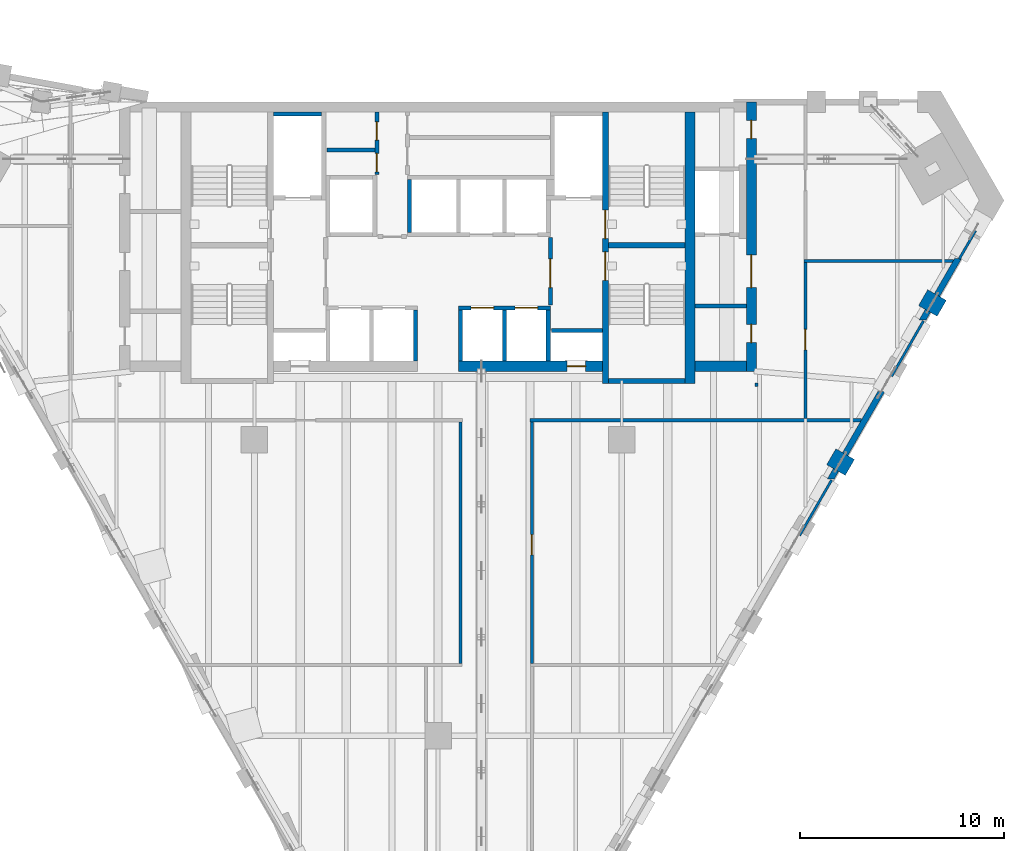
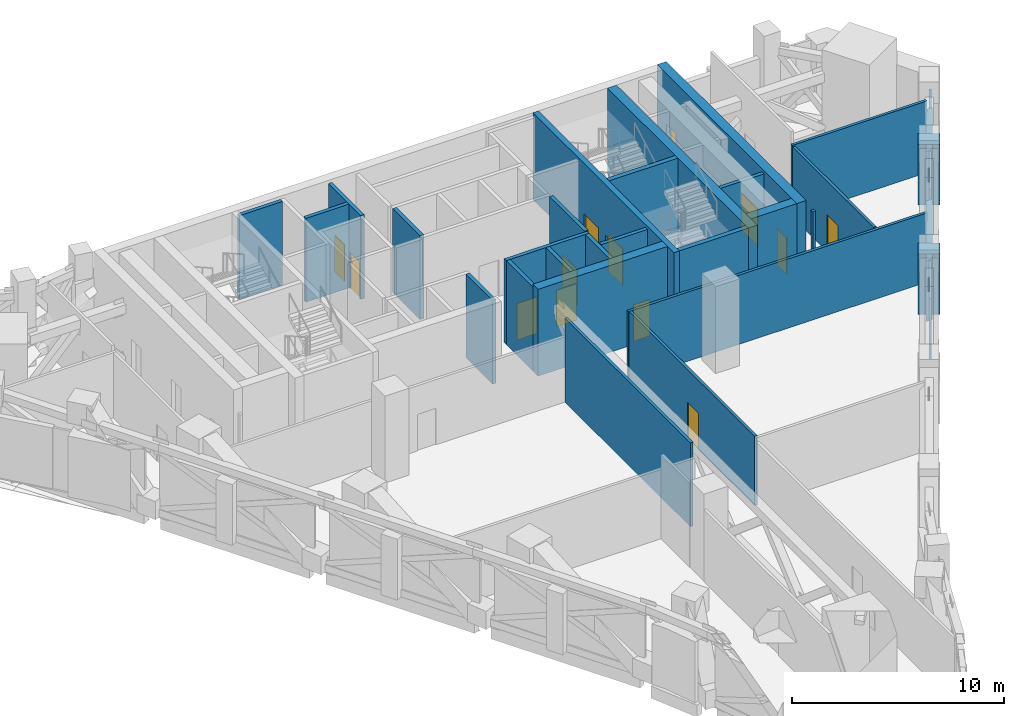
# One storey, part 11 of 22: 34 walls, 13 doors, 13 openings.
"""IFC4 building model written with IfcOpenShell, lengths in metres."""

import ifcopenshell
import ifcopenshell.guid

model = None  # the IFC model being written
_history = None  # IfcOwnerHistory: only IFC2X3 demands one
_inside = {}  # id of a spatial element -> (the spatial element, [elements in it])
_under = {}  # id of a project, library or spatial element -> (it, [spatial elements below it])
_declared = {}  # id of a project -> (the project, [libraries it declares])
_typed = {}  # id of a type object -> (the type object, [elements of that type])
_made_of = {}  # id of a material, layer set ... -> (it, [elements and type objects made of it])


def new_model(schema):
    """Start an empty IFC model of exactly this schema.

    Asked for "IFC4X3", IfcOpenShell would pick the latest addendum, in which some entities
    have other attributes; the version numbers below select the first issue.
    IFC2X3 requires an IfcOwnerHistory on every rooted entity: one is made here for all.
    """
    global model, _history
    if schema == "IFC4X3":
        model = ifcopenshell.file(schema_version=(4, 3, 0, 0))
    else:
        model = ifcopenshell.file(schema=schema)
    _inside.clear()
    _under.clear()
    _declared.clear()
    _typed.clear()
    _made_of.clear()
    _history = None
    if model.schema == "IFC2X3":
        org = make("IfcOrganization", Name="unknown")
        user = make(
            "IfcPersonAndOrganization",
            ThePerson=make("IfcPerson", FamilyName="unknown"),
            TheOrganization=org,
        )
        app = make(
            "IfcApplication",
            ApplicationDeveloper=org,
            Version="unknown",
            ApplicationFullName="unknown",
            ApplicationIdentifier="unknown",
        )
        _history = make(
            "IfcOwnerHistory",
            OwningUser=user,
            OwningApplication=app,
            ChangeAction="ADDED",
            CreationDate=0,
        )
    return model


def make(cls, **values):
    """One entity of the class cls with the attributes given. An attribute that is None is left unset."""
    return model.create_entity(
        cls, **{name: value for name, value in values.items() if value is not None}
    )


def rooted(cls, **values):
    """An entity with a GlobalId (a new one), such as an element, a storey or a relation."""
    return make(cls, GlobalId=ifcopenshell.guid.new(), OwnerHistory=_history, **values)


def si_unit(unit_type, name, prefix=None):
    """IfcSIUnit, for example si_unit("LENGTHUNIT", "METRE", prefix="MILLI")."""
    return make("IfcSIUnit", UnitType=unit_type, Prefix=prefix, Name=name)


def assignment(units):
    """IfcUnitAssignment: the units of a project."""
    return None if units is None else make("IfcUnitAssignment", Units=units)


def point(xyz):
    """IfcCartesianPoint."""
    return None if xyz is None else make("IfcCartesianPoint", Coordinates=xyz)


def direction(xyz):
    """IfcDirection."""
    return None if xyz is None else make("IfcDirection", DirectionRatios=xyz)


def frame(location, z_axis=None, x_axis=None):
    """IfcAxis2Placement3D, a coordinate frame: its origin and axes. An axis left out is left unset."""
    return make(
        "IfcAxis2Placement3D",
        Location=point(location),
        Axis=direction(z_axis),
        RefDirection=direction(x_axis),
    )


def frame_2d(location, x_axis=None):
    """IfcAxis2Placement2D, a coordinate frame in the plane: its origin and x axis."""
    return make(
        "IfcAxis2Placement2D", Location=point(location), RefDirection=direction(x_axis)
    )


def origin():
    """The frame at (0, 0, 0) with its axes left unset."""
    return frame((0.0, 0.0, 0.0))


def place(relative_to, where):
    """IfcLocalPlacement: puts the frame where relative to a parent placement (None: the world)."""
    return make(
        "IfcLocalPlacement", PlacementRelTo=relative_to, RelativePlacement=where
    )


def context(
    kind, dimensions, precision=None, world=None, true_north=None, identifier=None
):
    """IfcGeometricRepresentationContext, for example the 3D "Model" context."""
    return make(
        "IfcGeometricRepresentationContext",
        ContextIdentifier=identifier,
        ContextType=kind,
        CoordinateSpaceDimension=dimensions,
        Precision=precision,
        WorldCoordinateSystem=world,
        TrueNorth=true_north,
    )


def subcontext(parent, identifier, kind, view, scale=None):
    """IfcGeometricRepresentationSubContext, for example "Body" below "Model"."""
    return make(
        "IfcGeometricRepresentationSubContext",
        ContextIdentifier=identifier,
        ContextType=kind,
        ParentContext=parent,
        TargetScale=scale,
        TargetView=view,
    )


def project(units=None, contexts=None):
    """IfcProject with its units and contexts."""
    return rooted(
        "IfcProject",
        Name="project",
        RepresentationContexts=contexts,
        UnitsInContext=assignment(units),
    )


def spatial(cls, under=None, at=None, **own):
    """A site, building, storey or space (cls), placed at a placement, below another one or the project."""
    s = rooted(cls, ObjectPlacement=at, **own)
    if under is not None:
        _under.setdefault(under.id(), (under, []))[1].append(s)
    return s


def polyline(points):
    """IfcPolyline through the points."""
    return make("IfcPolyline", Points=[point(p) for p in points])


def profile(cls, at=None, kind="AREA", **sizes):
    """A parametric profile (cls). Its sizes go by their IFC names, for example OverallWidth=200.0."""
    return make(cls, ProfileType=kind, Position=at, **sizes)


def rectangle(**sizes):
    """IfcRectangleProfileDef."""
    return profile("IfcRectangleProfileDef", **sizes)


def outline(outer, holes=None, kind="AREA"):
    """IfcArbitraryClosedProfileDef: a profile drawn as a closed curve; with holes, ...WithVoids."""
    if holes is None:
        return make("IfcArbitraryClosedProfileDef", ProfileType=kind, OuterCurve=outer)
    return make(
        "IfcArbitraryProfileDefWithVoids",
        ProfileType=kind,
        OuterCurve=outer,
        InnerCurves=holes,
    )


def extrude(swept, where, along, depth):
    """IfcExtrudedAreaSolid: the profile swept, set in the frame where, extruded along a direction by depth."""
    return make(
        "IfcExtrudedAreaSolid",
        SweptArea=swept,
        Position=where,
        ExtrudedDirection=direction(along),
        Depth=depth,
    )


def shape(context_of_items, identifier, shape_type, items):
    """IfcShapeRepresentation: the items that make up one representation, for example the "Body"."""
    return make(
        "IfcShapeRepresentation",
        ContextOfItems=context_of_items,
        RepresentationIdentifier=identifier,
        RepresentationType=shape_type,
        Items=items,
    )


def material(Name=None, Category=None):
    """IfcMaterial."""
    return make("IfcMaterial", Name=Name, Category=Category)


def layer(
    of_material, thickness, ventilated=None, Name=None, Category=None, Priority=None
):
    """IfcMaterialLayer: one layer of a wall or slab, of a material (None: an air gap)."""
    return make(
        "IfcMaterialLayer",
        Material=of_material,
        LayerThickness=thickness,
        IsVentilated=ventilated,
        Name=Name,
        Category=Category,
        Priority=Priority,
    )


def layer_set(layers, Name=None):
    """IfcMaterialLayerSet."""
    return make("IfcMaterialLayerSet", MaterialLayers=layers, LayerSetName=Name)


def made_of(thing, what):
    """Note that an element or type object is made of a material, layer set ...; save() writes the relation."""
    if what is not None:
        _made_of.setdefault(what.id(), (what, []))[1].append(thing)
    return thing


def type_object(cls, material=None, **own):
    """A type object (cls), such as IfcWallType, which elements share."""
    return made_of(rooted(cls, **own), material)


def element(
    cls,
    number,
    at=None,
    inside=None,
    cuts=None,
    type_object=None,
    material=None,
    context=None,
    identifier="Body",
    shape_type=None,
    held_by="IfcProductDefinitionShape",
    body=None,
    shapes=None,
    **own,
):
    """One element of the class cls, such as IfcWall. Its Tag is "e" and its number.

    at: its placement. inside: the storey or other place that contains it. cuts: it is an
    opening in that element (IfcRelVoidsElement). A single representation is given by context,
    identifier, shape_type and body (its items); several are given by shapes. held_by: the class
    of the entity that holds the representations. save() writes the other relations.
    """
    e = rooted(cls, Tag="e%d" % number, ObjectPlacement=at, **own)
    if body is not None:
        shapes = [shape(context, identifier, shape_type, body)]
    if shapes is not None:
        e.Representation = make(held_by, Representations=shapes)
    if inside is not None:
        _inside.setdefault(inside.id(), (inside, []))[1].append(e)
    if cuts is not None:
        rooted(
            "IfcRelVoidsElement", RelatingBuildingElement=cuts, RelatedOpeningElement=e
        )
    if type_object is not None:
        _typed.setdefault(type_object.id(), (type_object, []))[1].append(e)
    return made_of(e, material)


def fill(opening, filler):
    """IfcRelFillsElement: the door or window that sits in an opening."""
    return rooted(
        "IfcRelFillsElement",
        RelatingOpeningElement=opening,
        RelatedBuildingElement=filler,
    )


def aggregate(whole, parts):
    """IfcRelAggregates: a whole, such as a stair, and the parts it consists of."""
    return rooted("IfcRelAggregates", RelatingObject=whole, RelatedObjects=parts)


def save(model, path):
    """Write the relations noted so far, then the file.

    IfcRelAggregates (storeys below a building ...), IfcRelContainedInSpatialStructure (elements
    in a storey), IfcRelDefinesByType, IfcRelAssociatesMaterial and IfcRelDeclares: one each for
    every whole, place, type object, material and project.
    """
    for whole, parts in _under.values():
        aggregate(whole, parts)
    for where, things in _inside.values():
        rooted(
            "IfcRelContainedInSpatialStructure",
            RelatedElements=things,
            RelatingStructure=where,
        )
    for kind, things in _typed.values():
        rooted("IfcRelDefinesByType", RelatedObjects=things, RelatingType=kind)
    for what, things in _made_of.values():
        rooted("IfcRelAssociatesMaterial", RelatedObjects=things, RelatingMaterial=what)
    for by, libraries in _declared.values():
        rooted("IfcRelDeclares", RelatingContext=by, RelatedDefinitions=libraries)
    model.write(path)


model = new_model("IFC4")

# Units and contexts
model_context = context("Model", 3, precision=1e-05, world=origin(), true_north=direction((0.0, 1.0)))
body_context = subcontext(model_context, "Body", "Model", "MODEL_VIEW")
ifc_project = project(units=[si_unit("LENGTHUNIT", "METRE"), si_unit("AREAUNIT", "SQUARE_METRE"), si_unit("VOLUMEUNIT", "CUBIC_METRE"), si_unit("PLANEANGLEUNIT", "RADIAN"), si_unit("MASSUNIT", "GRAM", prefix="KILO")], contexts=[model_context])

# Site, building, storey
site_placement = place(None, origin())
site = spatial("IfcSite", under=ifc_project, at=site_placement, CompositionType="ELEMENT")
building_placement = place(site_placement, origin())
building = spatial("IfcBuilding", under=site, at=building_placement, Name="Calabash Gate Tower", CompositionType="ELEMENT")
storey_placement = place(building_placement, frame((0.0, 0.0, 191.39990234375)))
storey = spatial("IfcBuildingStorey", under=building, at=storey_placement, Name="L45", CompositionType="ELEMENT", Elevation=191.39990234375)

# Walls
ifc_material_1 = material(Name="Terracotta brick masonry, exposed face", Category="masonry")
ifc_layer_1 = layer(ifc_material_1, 1.050048828125)
ifc_layer_set_1 = layer_set([ifc_layer_1], Name="Brick end wall 1050")
wall_type_1 = type_object("IfcWallType", Name="Brick end wall 1050", PredefinedType="SOLIDWALL", material=ifc_layer_set_1)
for number, where, z_axis, x_axis, name in (
    (1, (19.26708984375, 1.665771484375, 0.0), (0.0, 0.0, 1.0), (0.866030680601, -0.499990860175, 0.0), "Brick pier L45 SE4.5"),
    (2, (24.67626953125, 8.93505859375, 0.0), (0.0, 0.0, 1.0), (-0.866030680601, 0.499990860175, 0.0), "Brick pier L45 SE4.7"),
):
    element("IfcWall", number, at=place(storey_placement, frame(where, z_axis=z_axis, x_axis=x_axis)), inside=storey, type_object=wall_type_1, Name=name, PredefinedType="SOLIDWALL", context=body_context, shape_type="SweptSolid", body=[
        extrude(rectangle(XDim=1.0498046875, YDim=0.89990234375, at=frame_2d((0.52490234375, 0.0))), origin(), (0.0, 0.0, 1.0), 3.5),
    ])
ifc_material_2 = material(Name="Gypsum board on steel studs, mineral wool", Category="steel")
ifc_layer_2 = layer(ifc_material_2, 0.199951171875)
ifc_layer_set_2 = layer_set([ifc_layer_2], Name="Core partition 200 gypsum board")
wall_type_2 = type_object("IfcWallType", Name="Core partition 200 gypsum board", PredefinedType="PARTITIONING", material=ifc_layer_set_2)
wall_1_placement = place(storey_placement, frame((12.60009765625, 9.052490234375, 0.0), z_axis=(0.0, 0.0, 1.0), x_axis=(1.0, 0.0, 0.0)))
element("IfcWall", 3, at=wall_1_placement, inside=storey, type_object=wall_type_2, Name="Core partition", PredefinedType="PARTITIONING", context=body_context, shape_type="SweptSolid", body=[
    extrude(rectangle(XDim=2.5, YDim=0.199951171875, at=frame_2d((1.25, 0.0))), origin(), (0.0, 0.0, 1.0), 4.830078125),
])
ifc_material_3 = material(Name="Concrete C70/85", Category="concrete")
ifc_layer_3 = layer(ifc_material_3, 0.25)
ifc_layer_set_3 = layer_set([ifc_layer_3], Name="Core wall 250 Concrete C70/85")
wall_type_3 = type_object("IfcWallType", Name="Core wall 250 Concrete C70/85", PredefinedType="SHEAR", material=ifc_layer_set_3)
for number, where, z_axis, x_axis, name in (
    (4, (8.35009765625, 12.027587890625, 0.0), (0.0, 0.0, 1.0), (1.0, 0.0, 0.0), "Core wall Z3-MIDE L45"),
    (5, (8.35009765625, 5.377685546875, 0.0), (0.0, 0.0, 1.0), (1.0, 0.0, 0.0), "Core wall Z3-SSE L45"),
):
    element("IfcWall", number, at=place(storey_placement, frame(where, z_axis=z_axis, x_axis=x_axis)), inside=storey, type_object=wall_type_3, Name=name, PredefinedType="SHEAR", context=body_context, shape_type="SweptSolid", body=[
        extrude(rectangle(XDim=3.75, YDim=0.25, at=frame_2d((1.875, 0.0))), origin(), (0.0, 0.0, 1.0), 5.0),
    ])

# Wall, openings, doors
ifc_material_4 = material(Name="Concrete C70/85", Category="concrete")
ifc_layer_4 = layer(ifc_material_4, 0.300048828125)
ifc_layer_set_4 = layer_set([ifc_layer_4], Name="Core wall 300 Concrete C70/85")
wall_type_4 = type_object("IfcWallType", Name="Core wall 300 Concrete C70/85", PredefinedType="SHEAR", material=ifc_layer_set_4)
wall_2_placement = place(storey_placement, frame((8.199951171875, 5.252685546875, 0.0), z_axis=(0.0, 0.0, 1.0), x_axis=(0.0, 1.0, 0.0)))
wall_2 = element("IfcWall", 6, at=wall_2_placement, inside=storey, type_object=wall_type_4, Name="Core wall Z3-PARTE L45", PredefinedType="SHEAR", context=body_context, shape_type="SweptSolid", body=[
    extrude(rectangle(XDim=13.2998046875, YDim=0.300048828125, at=frame_2d((6.64990234375, 0.0))), origin(), (0.0, 0.0, 1.0), 5.0),
])
opening_1_placement = place(wall_2_placement, frame((7.10009765625, 0.0, 0.0)))
opening_1 = element("IfcOpeningElement", 7, at=opening_1_placement, cuts=wall_2, Name="Opening L45-003", PredefinedType="OPENING", context=body_context, shape_type="SweptSolid", body=[
    extrude(rectangle(XDim=1.39990234375, YDim=2.10009765625, at=frame_2d((0.699951171875, 1.050048828125))), frame((0.0, 0.159912109375, 0.0), z_axis=(0.0, -1.0, 0.0), x_axis=(1.0, 0.0, 0.0)), (0.0, 0.0, 1.0), 0.320068359375),
])
opening_2_placement = place(wall_2_placement, frame((5.050048828125, 0.0, 0.0)))
opening_2 = element("IfcOpeningElement", 8, at=opening_2_placement, cuts=wall_2, Name="Opening L45-004", PredefinedType="OPENING", context=body_context, shape_type="SweptSolid", body=[
    extrude(rectangle(XDim=1.39990234375, YDim=2.10009765625, at=frame_2d((0.699951171875, 1.050048828125))), frame((0.0, 0.159912109375, 0.0), z_axis=(0.0, -1.0, 0.0), x_axis=(1.0, 0.0, 0.0)), (0.0, 0.0, 1.0), 0.320068359375),
])
ifc_material_5 = material(Name="Steel fire door set with fire-resisting glazing", Category="steel")
door_type_1 = type_object("IfcDoorType", Name="Fire door D05 1400x2100 FD90", OperationType="NOTDEFINED", PredefinedType="DOOR", material=ifc_material_5)
door_1_placement = place(opening_1_placement, origin())
door_1 = element("IfcDoor", 9, at=door_1_placement, inside=storey, type_object=door_type_1, Name="Exit stair door ST3", OperationType="SINGLE_SWING_RIGHT", OverallHeight=2.10009765625, OverallWidth=1.39990234375, PredefinedType="DOOR", context=body_context, shape_type="SweptSolid", body=[
    extrude(rectangle(XDim=1.39990234375, YDim=2.10009765625, at=frame_2d((0.699951171875, 1.050048828125))), frame((0.0, 0.02490234375, 0.0), z_axis=(0.0, -1.0, 0.0), x_axis=(1.0, 0.0, 0.0)), (0.0, 0.0, 1.0), 0.050048828125),
])
fill(opening_1, door_1)
door_2_placement = place(opening_2_placement, origin())
door_2 = element("IfcDoor", 10, at=door_2_placement, inside=storey, type_object=door_type_1, Name="Exit stair door ST4", OperationType="SINGLE_SWING_LEFT", OverallHeight=2.10009765625, OverallWidth=1.39990234375, PredefinedType="DOOR", context=body_context, shape_type="SweptSolid", body=[
    extrude(rectangle(XDim=1.39990234375, YDim=2.10009765625, at=frame_2d((0.699951171875, 1.050048828125))), frame((0.0, 0.02490234375, 0.0), z_axis=(0.0, -1.0, 0.0), x_axis=(1.0, 0.0, 0.0)), (0.0, 0.0, 1.0), 0.050048828125),
])
fill(opening_2, door_2)

# Wall
ifc_material_6 = material(Name="Concrete C70/85", Category="concrete")
ifc_layer_5 = layer(ifc_material_6, 0.5)
ifc_layer_set_5 = layer_set([ifc_layer_5], Name="Core wall 500 Concrete C70/85")
wall_type_5 = type_object("IfcWallType", Name="Core wall 500 Concrete C70/85", PredefinedType="SHEAR", material=ifc_layer_set_5)
wall_3_placement = place(storey_placement, frame((12.35009765625, 5.252685546875, 0.0), z_axis=(0.0, 0.0, 1.0), x_axis=(0.0, 1.0, 0.0)))
element("IfcWall", 11, at=wall_3_placement, inside=storey, type_object=wall_type_5, Name="Core wall Z3-COLE L45", PredefinedType="SHEAR", context=body_context, shape_type="SweptSolid", body=[
    extrude(rectangle(XDim=13.2998046875, YDim=0.5, at=frame_2d((6.64990234375, 0.0))), origin(), (0.0, 0.0, 1.0), 5.0),
])

# Wall, opening, door
wall_4_placement = place(storey_placement, frame((1.0, 6.1025390625, 0.0), z_axis=(0.0, 0.0, 1.0), x_axis=(1.0, 0.0, 0.0)))
wall_4 = element("IfcWall", 12, at=wall_4_placement, inside=storey, type_object=wall_type_5, Name="Core wall Z3-SB L45", PredefinedType="SHEAR", context=body_context, shape_type="SweptSolid", body=[
    extrude(rectangle(XDim=7.050048828125, YDim=0.5, at=frame_2d((3.52490234375, 0.0))), origin(), (0.0, 0.0, 1.0), 5.0),
])
opening_3_placement = place(wall_4_placement, frame((5.324951171875, 0.0, 0.0)))
opening_3 = element("IfcOpeningElement", 13, at=opening_3_placement, cuts=wall_4, Name="Opening L45-013", PredefinedType="OPENING", context=body_context, shape_type="SweptSolid", body=[
    extrude(rectangle(XDim=0.89990234375, YDim=2.10009765625, at=frame_2d((0.449951171875, 1.050048828125))), frame((0.0, 0.260009765625, 0.0), z_axis=(0.0, -1.0, 0.0), x_axis=(1.0, 0.0, 0.0)), (0.0, 0.0, 1.0), 0.52001953125),
])
ifc_material_7 = material(Name="Steel fire door set with fire-resisting glazing", Category="steel")
door_type_2 = type_object("IfcDoorType", Name="Fire door D07 900x2100 FD90", OperationType="NOTDEFINED", PredefinedType="DOOR", material=ifc_material_7)
door_3_placement = place(opening_3_placement, origin())
door_3 = element("IfcDoor", 14, at=door_3_placement, inside=storey, type_object=door_type_2, Name="Mechanical Riser E door", OperationType="SINGLE_SWING_RIGHT", OverallHeight=2.10009765625, OverallWidth=0.89990234375, PredefinedType="DOOR", context=body_context, shape_type="SweptSolid", body=[
    extrude(rectangle(XDim=0.89990234375, YDim=2.10009765625, at=frame_2d((0.449951171875, 1.050048828125))), frame((0.0, 0.02490234375, 0.0), z_axis=(0.0, -1.0, 0.0), x_axis=(1.0, 0.0, 0.0)), (0.0, 0.0, 1.0), 0.050048828125),
])
fill(opening_3, door_3)

# Wall
wall_5_placement = place(storey_placement, frame((12.60009765625, 6.1025390625, 0.0), z_axis=(0.0, 0.0, 1.0), x_axis=(1.0, 0.0, 0.0)))
element("IfcWall", 15, at=wall_5_placement, inside=storey, type_object=wall_type_5, Name="Core wall Z3-SE L45", PredefinedType="SHEAR", context=body_context, shape_type="SweptSolid", body=[
    extrude(rectangle(XDim=2.5, YDim=0.5, at=frame_2d((1.25, 0.0))), origin(), (0.0, 0.0, 1.0), 5.0),
])

# Wall, openings, doors
wall_6_placement = place(storey_placement, frame((15.35009765625, 5.8525390625, 0.0), z_axis=(0.0, 0.0, 1.0), x_axis=(0.0, 1.0, 0.0)))
wall_6 = element("IfcWall", 16, at=wall_6_placement, inside=storey, type_object=wall_type_5, Name="Core wall Z3-ENDE L45", PredefinedType="SHEAR", context=body_context, shape_type="SweptSolid", body=[
    extrude(rectangle(XDim=13.199951171875, YDim=0.5, at=frame_2d((6.60009765625, 0.0))), origin(), (0.0, 0.0, 1.0), 5.0),
])
opening_4_placement = place(wall_6_placement, frame((4.10009765625, 0.0, 0.0)))
opening_4 = element("IfcOpeningElement", 17, at=opening_4_placement, cuts=wall_6, Name="Opening L45-017", PredefinedType="OPENING", context=body_context, shape_type="SweptSolid", body=[
    extrude(rectangle(XDim=1.60009765625, YDim=2.10009765625, at=frame_2d((0.800048828125, 1.050048828125))), frame((0.0, 0.260009765625, 0.0), z_axis=(0.0, -1.0, 0.0), x_axis=(1.0, 0.0, 0.0)), (0.0, 0.0, 1.0), 0.52001953125),
])
opening_5_placement = place(wall_6_placement, frame((1.39990234375, 0.0, 0.0)))
opening_5 = element("IfcOpeningElement", 18, at=opening_5_placement, cuts=wall_6, Name="Opening L45-018", PredefinedType="OPENING", context=body_context, shape_type="SweptSolid", body=[
    extrude(rectangle(XDim=0.89990234375, YDim=2.10009765625, at=frame_2d((0.449951171875, 1.050048828125))), frame((0.0, 0.260009765625, 0.0), z_axis=(0.0, -1.0, 0.0), x_axis=(1.0, 0.0, 0.0)), (0.0, 0.0, 1.0), 0.52001953125),
])
opening_6_placement = place(wall_6_placement, frame((11.3974609375, 0.0, 0.0)))
opening_6 = element("IfcOpeningElement", 19, at=opening_6_placement, cuts=wall_6, Name="Opening L45-019", PredefinedType="OPENING", context=body_context, shape_type="SweptSolid", body=[
    extrude(rectangle(XDim=0.89990234375, YDim=2.10009765625, at=frame_2d((0.449951171875, 1.050048828125))), frame((0.0, 0.260009765625, 0.0), z_axis=(0.0, -1.0, 0.0), x_axis=(1.0, 0.0, 0.0)), (0.0, 0.0, 1.0), 0.52001953125),
])
ifc_material_8 = material(Name="Steel fire door set with fire-resisting glazing", Category="steel")
door_type_3 = type_object("IfcDoorType", Name="Double fire door D08 1600x2100 FD60", OperationType="DOUBLE_DOOR_SINGLE_SWING", PredefinedType="DOOR", material=ifc_material_8)
door_4_placement = place(opening_4_placement, origin())
door_4 = element("IfcDoor", 20, at=door_4_placement, inside=storey, type_object=door_type_3, Name="Service Lift Lobby E door", OperationType="DOUBLE_DOOR_SINGLE_SWING", OverallHeight=2.10009765625, OverallWidth=1.60009765625, PredefinedType="DOOR", context=body_context, shape_type="SweptSolid", body=[
    extrude(rectangle(XDim=1.60009765625, YDim=2.10009765625, at=frame_2d((0.800048828125, 1.050048828125))), frame((0.0, 0.02490234375, 0.0), z_axis=(0.0, -1.0, 0.0), x_axis=(1.0, 0.0, 0.0)), (0.0, 0.0, 1.0), 0.050048828125),
])
fill(opening_4, door_4)
ifc_material_9 = material(Name="Steel fire door set with fire-resisting glazing", Category="steel")
door_type_4 = type_object("IfcDoorType", Name="Fire door D06 900x2100 FD60", OperationType="NOTDEFINED", PredefinedType="DOOR", material=ifc_material_9)
door_5_placement = place(opening_5_placement, origin())
door_5 = element("IfcDoor", 21, at=door_5_placement, inside=storey, type_object=door_type_4, Name="Smoke Extract Plant door", OperationType="SINGLE_SWING_RIGHT", OverallHeight=2.10009765625, OverallWidth=0.89990234375, PredefinedType="DOOR", context=body_context, shape_type="SweptSolid", body=[
    extrude(rectangle(XDim=0.89990234375, YDim=2.10009765625, at=frame_2d((0.449951171875, 1.050048828125))), frame((0.0, 0.02490234375, 0.0), z_axis=(0.0, -1.0, 0.0), x_axis=(1.0, 0.0, 0.0)), (0.0, 0.0, 1.0), 0.050048828125),
])
fill(opening_5, door_5)
door_6_placement = place(opening_6_placement, origin())
door_6 = element("IfcDoor", 22, at=door_6_placement, inside=storey, type_object=door_type_4, Name="Plant UPS Room door", OperationType="SINGLE_SWING_LEFT", OverallHeight=2.10009765625, OverallWidth=0.89990234375, PredefinedType="DOOR", context=body_context, shape_type="SweptSolid", body=[
    extrude(rectangle(XDim=0.89990234375, YDim=2.10009765625, at=frame_2d((0.449951171875, 1.050048828125))), frame((0.0, 0.02490234375, 0.0), z_axis=(0.0, -1.0, 0.0), x_axis=(1.0, 0.0, 0.0)), (0.0, 0.0, 1.0), 0.050048828125),
])
fill(opening_6, door_6)

# Wall
ifc_material_10 = material(Name="Gypsum board on steel studs, mineral wool", Category="steel")
ifc_layer_6 = layer(ifc_material_10, 0.14990234375)
ifc_layer_set_6 = layer_set([ifc_layer_6], Name="Partition 150 gypsum board")
wall_type_6 = type_object("IfcWallType", Name="Partition 150 gypsum board", PredefinedType="PARTITIONING", material=ifc_layer_set_6)
wall_7_placement = place(storey_placement, frame((1.10009765625, -8.472412109375, 0.0), z_axis=(0.0, 0.0, 1.0), x_axis=(0.0, 1.0, 0.0)))
element("IfcWall", 23, at=wall_7_placement, inside=storey, type_object=wall_type_6, Name="Partition", PredefinedType="PARTITIONING", context=body_context, shape_type="SweptSolid", body=[
    extrude(rectangle(XDim=11.85009765625, YDim=0.14990234375, at=frame_2d((5.925048828125, 0.0))), origin(), (0.0, 0.0, 1.0), 4.830078125),
])

# Wall, opening, door
wall_8_placement = place(storey_placement, frame((4.60009765625, -8.472412109375, 0.0), z_axis=(0.0, 0.0, 1.0), x_axis=(0.0, 1.0, 0.0)))
wall_8 = element("IfcWall", 24, at=wall_8_placement, inside=storey, type_object=wall_type_6, Name="Partition", PredefinedType="PARTITIONING", context=body_context, shape_type="SweptSolid", body=[
    extrude(rectangle(XDim=11.85009765625, YDim=0.14990234375, at=frame_2d((5.925048828125, 0.0))), origin(), (0.0, 0.0, 1.0), 3.984130859375),
])
opening_7_placement = place(wall_8_placement, frame((5.324951171875, 0.0, 0.0)))
opening_7 = element("IfcOpeningElement", 25, at=opening_7_placement, cuts=wall_8, Name="Opening L45-026", PredefinedType="OPENING", context=body_context, shape_type="SweptSolid", body=[
    extrude(rectangle(XDim=1.0, YDim=2.10009765625, at=frame_2d((0.5, 1.050048828125))), frame((0.0, 0.0849609375, 0.0), z_axis=(0.0, -1.0, 0.0), x_axis=(1.0, 0.0, 0.0)), (0.0, 0.0, 1.0), 0.169921875),
])
ifc_material_11 = material(Name="Steel fire door set with fire-resisting glazing", Category="steel")
door_type_5 = type_object("IfcDoorType", Name="Fire door D12 1000x2100 FD90", OperationType="NOTDEFINED", PredefinedType="DOOR", material=ifc_material_11)
door_7_placement = place(opening_7_placement, origin())
door_7 = element("IfcDoor", 26, at=door_7_placement, inside=storey, type_object=door_type_5, Name="Refuge Area E door", OperationType="SINGLE_SWING_RIGHT", OverallHeight=2.10009765625, OverallWidth=1.0, PredefinedType="DOOR", context=body_context, shape_type="SweptSolid", body=[
    extrude(rectangle(XDim=1.0, YDim=2.10009765625, at=frame_2d((0.5, 1.050048828125))), frame((0.0, 0.02490234375, 0.0), z_axis=(0.0, -1.0, 0.0), x_axis=(1.0, 0.0, 0.0)), (0.0, 0.0, 1.0), 0.050048828125),
])
fill(opening_7, door_7)

# Wall
wall_9_placement = place(storey_placement, frame((4.4951171875, 3.45263671875, 0.0), z_axis=(0.0, 0.0, 1.0), x_axis=(1.0, 0.0, 0.0)))
element("IfcWall", 27, at=wall_9_placement, inside=storey, type_object=wall_type_6, Name="Partition", PredefinedType="PARTITIONING", context=body_context, shape_type="SweptSolid", body=[
    extrude(rectangle(XDim=16.256591796875, YDim=0.14990234375, at=frame_2d((8.12841796875, 0.0))), origin(), (0.0, 0.0, 1.0), 3.984130859375),
])

# Wall, opening, door
wall_10_placement = place(storey_placement, frame((18.0, 3.527587890625, 0.0), z_axis=(0.0, 0.0, 1.0), x_axis=(0.0, 1.0, 0.0)))
wall_10 = element("IfcWall", 28, at=wall_10_placement, inside=storey, type_object=wall_type_6, Name="Partition", PredefinedType="PARTITIONING", context=body_context, shape_type="SweptSolid", body=[
    extrude(rectangle(XDim=7.64990234375, YDim=0.14990234375, at=frame_2d((3.824951171875, 0.0))), origin(), (0.0, 0.0, 1.0), 4.05029296875),
])
opening_8_placement = place(wall_10_placement, frame((3.375, 0.0, 0.0)))
opening_8 = element("IfcOpeningElement", 29, at=opening_8_placement, cuts=wall_10, Name="Opening L45-023", PredefinedType="OPENING", context=body_context, shape_type="SweptSolid", body=[
    extrude(rectangle(XDim=1.0, YDim=2.10009765625, at=frame_2d((0.5, 1.050048828125))), frame((0.0, 0.0849609375, 0.0), z_axis=(0.0, -1.0, 0.0), x_axis=(1.0, 0.0, 0.0)), (0.0, 0.0, 1.0), 0.169921875),
])
ifc_material_12 = material(Name="Steel fire door set with fire-resisting glazing", Category="steel")
door_type_6 = type_object("IfcDoorType", Name="Fire door D11 1000x2100 FD60", OperationType="NOTDEFINED", PredefinedType="DOOR", material=ifc_material_12)
door_8_placement = place(opening_8_placement, origin())
door_8 = element("IfcDoor", 30, at=door_8_placement, inside=storey, type_object=door_type_6, Name="Pump Room door", OperationType="SINGLE_SWING_RIGHT", OverallHeight=2.10009765625, OverallWidth=1.0, PredefinedType="DOOR", context=body_context, shape_type="SweptSolid", body=[
    extrude(rectangle(XDim=1.0, YDim=2.10009765625, at=frame_2d((0.5, 1.050048828125))), frame((0.0, 0.02490234375, 0.0), z_axis=(0.0, -1.0, 0.0), x_axis=(1.0, 0.0, 0.0)), (0.0, 0.0, 1.0), 0.050048828125),
])
fill(opening_8, door_8)

# Walls
wall_11_placement = place(storey_placement, frame((15.60009765625, 5.09765625, 0.0), z_axis=(0.0, 0.0, 1.0), x_axis=(0.0, 1.0, 0.0)))
element("IfcWall", 31, at=wall_11_placement, inside=storey, type_object=wall_type_6, Name="Partition", PredefinedType="PARTITIONING", context=body_context, shape_type="SweptSolid", body=[
    extrude(rectangle(XDim=0.179931640625, YDim=0.14990234375, at=frame_2d((0.08984375, 0.0))), origin(), (0.0, 0.0, 1.0), 4.830078125),
])
wall_12_placement = place(storey_placement, frame((17.925048828125, 11.252685546875, 0.0), z_axis=(0.0, 0.0, 1.0), x_axis=(1.0, 0.0, 0.0)))
element("IfcWall", 32, at=wall_12_placement, inside=storey, type_object=wall_type_6, Name="Partition", PredefinedType="PARTITIONING", context=body_context, shape_type="SweptSolid", body=[
    extrude(rectangle(XDim=7.329833984375, YDim=0.14990234375, at=frame_2d((3.6650390625, 0.0))), origin(), (0.0, 0.0, 1.0), 4.130126953125),
])
ifc_material_13 = material(Name="Concrete C40/50", Category="concrete")
ifc_layer_7 = layer(ifc_material_13, 0.199951171875)
ifc_layer_set_7 = layer_set([ifc_layer_7], Name="Shaft wall 200 Concrete C40/50")
wall_type_7 = type_object("IfcWallType", Name="Shaft wall 200 Concrete C40/50", PredefinedType="SOLIDWALL", material=ifc_layer_set_7)
for number, where, z_axis, x_axis, name in (
    (33, (-1.10009765625, 6.3525390625, 0.0), (0.0, 0.0, 1.0), (0.0, 1.0, 0.0), "Shaft wall"),
    (34, (1.10009765625, 6.3525390625, 0.0), (0.0, 0.0, 1.0), (0.0, 1.0, 0.0), "Shaft wall"),
    (35, (3.25, 6.3525390625, 0.0), (0.0, 0.0, 1.0), (0.0, 1.0, 0.0), "Shaft wall"),
    (36, (5.39990234375, 6.3525390625, 0.0), (0.0, 0.0, 1.0), (0.0, 1.0, 0.0), "Shaft wall"),
    (37, (5.550048828125, 7.8525390625, 0.0), (0.0, 0.0, 1.0), (1.0, 0.0, 0.0), "Shaft wall"),
):
    element("IfcWall", number, at=place(storey_placement, frame(where, z_axis=z_axis, x_axis=x_axis)), inside=storey, type_object=wall_type_7, Name=name, PredefinedType="SOLIDWALL", context=body_context, shape_type="SweptSolid", body=[
        extrude(rectangle(XDim=2.5, YDim=0.199951171875, at=frame_2d((1.25, 0.0))), origin(), (0.0, 0.0, 1.0), 4.830078125),
    ])

# Wall, openings, doors
wall_13_placement = place(storey_placement, frame((1.0, 8.95263671875, 0.0), z_axis=(0.0, 0.0, 1.0), x_axis=(1.0, 0.0, 0.0)))
wall_13 = element("IfcWall", 38, at=wall_13_placement, inside=storey, type_object=wall_type_7, Name="Shaft wall", PredefinedType="SOLIDWALL", context=body_context, shape_type="SweptSolid", body=[
    extrude(rectangle(XDim=4.5, YDim=0.199951171875, at=frame_2d((2.25, 0.0))), origin(), (0.0, 0.0, 1.0), 4.830078125),
])
opening_9_placement = place(wall_13_placement, frame((0.625, 0.0, 0.0)))
opening_9 = element("IfcOpeningElement", 39, at=opening_9_placement, cuts=wall_13, Name="Opening LD-HR3", PredefinedType="OPENING", context=body_context, shape_type="SweptSolid", body=[
    extrude(rectangle(XDim=1.10009765625, YDim=2.10009765625, at=frame_2d((0.550048828125, 1.050048828125))), frame((0.0, 0.10986328125, 0.0), z_axis=(0.0, -1.0, 0.0), x_axis=(1.0, 0.0, 0.0)), (0.0, 0.0, 1.0), 0.219970703125),
])
opening_10_placement = place(wall_13_placement, frame((2.77490234375, 0.0, 0.0)))
opening_10 = element("IfcOpeningElement", 40, at=opening_10_placement, cuts=wall_13, Name="Opening LD-HR4", PredefinedType="OPENING", context=body_context, shape_type="SweptSolid", body=[
    extrude(rectangle(XDim=1.10009765625, YDim=2.10009765625, at=frame_2d((0.550048828125, 1.050048828125))), frame((0.0, 0.10986328125, 0.0), z_axis=(0.0, -1.0, 0.0), x_axis=(1.0, 0.0, 0.0)), (0.0, 0.0, 1.0), 0.219970703125),
])
ifc_material_14 = material(Name="Stainless steel sliding door leaves", Category="steel")
door_type_7 = type_object("IfcDoorType", Name="Lift landing door LS1 1100x2100 FD90", OperationType="DOUBLE_DOOR_SLIDING", PredefinedType="DOOR", material=ifc_material_14)
door_9_placement = place(opening_9_placement, origin())
door_9 = element("IfcDoor", 41, at=door_9_placement, inside=storey, type_object=door_type_7, Name="Lift landing door HR3", OperationType="DOUBLE_DOOR_SLIDING", OverallHeight=2.10009765625, OverallWidth=1.10009765625, PredefinedType="DOOR", context=body_context, shape_type="SweptSolid", body=[
    extrude(rectangle(XDim=1.10009765625, YDim=2.10009765625, at=frame_2d((0.550048828125, 1.050048828125))), frame((0.0, 0.02490234375, 0.0), z_axis=(0.0, -1.0, 0.0), x_axis=(1.0, 0.0, 0.0)), (0.0, 0.0, 1.0), 0.050048828125),
])
fill(opening_9, door_9)
door_10_placement = place(opening_10_placement, origin())
door_10 = element("IfcDoor", 42, at=door_10_placement, inside=storey, type_object=door_type_7, Name="Lift landing door HR4", OperationType="DOUBLE_DOOR_SLIDING", OverallHeight=2.10009765625, OverallWidth=1.10009765625, PredefinedType="DOOR", context=body_context, shape_type="SweptSolid", body=[
    extrude(rectangle(XDim=1.10009765625, YDim=2.10009765625, at=frame_2d((0.550048828125, 1.050048828125))), frame((0.0, 0.02490234375, 0.0), z_axis=(0.0, -1.0, 0.0), x_axis=(1.0, 0.0, 0.0)), (0.0, 0.0, 1.0), 0.050048828125),
])
fill(opening_10, door_10)

# Wall, opening, door
wall_14_placement = place(storey_placement, frame((5.5, 9.1025390625, 0.0), z_axis=(0.0, 0.0, 1.0), x_axis=(0.0, 1.0, 0.0)))
wall_14 = element("IfcWall", 43, at=wall_14_placement, inside=storey, type_object=wall_type_7, Name="Shaft wall", PredefinedType="SOLIDWALL", context=body_context, shape_type="SweptSolid", body=[
    extrude(rectangle(XDim=3.300048828125, YDim=0.199951171875, at=frame_2d((1.64990234375, 0.0))), origin(), (0.0, 0.0, 1.0), 4.830078125),
])
opening_11_placement = place(wall_14_placement, frame((0.85009765625, 0.0, 0.0)))
opening_11 = element("IfcOpeningElement", 44, at=opening_11_placement, cuts=wall_14, Name="Opening L45-007", PredefinedType="OPENING", context=body_context, shape_type="SweptSolid", body=[
    extrude(rectangle(XDim=1.39990234375, YDim=2.10009765625, at=frame_2d((0.699951171875, 1.050048828125))), frame((0.0, 0.10986328125, 0.0), z_axis=(0.0, -1.0, 0.0), x_axis=(1.0, 0.0, 0.0)), (0.0, 0.0, 1.0), 0.219970703125),
])
door_11_placement = place(opening_11_placement, origin())
door_11 = element("IfcDoor", 45, at=door_11_placement, inside=storey, type_object=door_type_1, Name="Firefighting Lobby E door", OperationType="SINGLE_SWING_LEFT", OverallHeight=2.10009765625, OverallWidth=1.39990234375, PredefinedType="DOOR", context=body_context, shape_type="SweptSolid", body=[
    extrude(rectangle(XDim=1.39990234375, YDim=2.10009765625, at=frame_2d((0.699951171875, 1.050048828125))), frame((0.0, 0.02490234375, 0.0), z_axis=(0.0, -1.0, 0.0), x_axis=(1.0, 0.0, 0.0)), (0.0, 0.0, 1.0), 0.050048828125),
])
fill(opening_11, door_11)

# Wall
wall_15_placement = place(storey_placement, frame((-1.39990234375, 12.652587890625, 0.0), z_axis=(0.0, 0.0, 1.0), x_axis=(0.0, 1.0, 0.0)))
element("IfcWall", 46, at=wall_15_placement, inside=storey, type_object=wall_type_7, Name="Shaft wall", PredefinedType="SOLIDWALL", context=body_context, shape_type="SweptSolid", body=[
    extrude(rectangle(XDim=2.60009765625, YDim=0.199951171875, at=frame_2d((1.300048828125, 0.0))), origin(), (0.0, 0.0, 1.0), 4.830078125),
])

# Wall, openings, doors
wall_16_placement = place(storey_placement, frame((-3.0, 15.502685546875, 0.0), z_axis=(0.0, 0.0, 1.0), x_axis=(0.0, 1.0, 0.0)))
wall_16 = element("IfcWall", 47, at=wall_16_placement, inside=storey, type_object=wall_type_7, Name="Shaft wall", PredefinedType="SOLIDWALL", context=body_context, shape_type="SweptSolid", body=[
    extrude(rectangle(XDim=3.0498046875, YDim=0.199951171875, at=frame_2d((1.52490234375, 0.0))), origin(), (0.0, 0.0, 1.0), 4.830078125),
])
opening_12_placement = place(wall_16_placement, frame((0.1201171875, 0.0, 0.0)))
opening_12 = element("IfcOpeningElement", 48, at=opening_12_placement, cuts=wall_16, Name="Opening L45-008", PredefinedType="OPENING", context=body_context, shape_type="SweptSolid", body=[
    extrude(rectangle(XDim=0.89990234375, YDim=2.10009765625, at=frame_2d((0.449951171875, 1.050048828125))), frame((0.0, 0.10986328125, 0.0), z_axis=(0.0, -1.0, 0.0), x_axis=(1.0, 0.0, 0.0)), (0.0, 0.0, 1.0), 0.219970703125),
])
opening_13_placement = place(wall_16_placement, frame((1.669921875, 0.0, 0.0)))
opening_13 = element("IfcOpeningElement", 49, at=opening_13_placement, cuts=wall_16, Name="Opening L45-009", PredefinedType="OPENING", context=body_context, shape_type="SweptSolid", body=[
    extrude(rectangle(XDim=0.89990234375, YDim=2.10009765625, at=frame_2d((0.449951171875, 1.050048828125))), frame((0.0, 0.10986328125, 0.0), z_axis=(0.0, -1.0, 0.0), x_axis=(1.0, 0.0, 0.0)), (0.0, 0.0, 1.0), 0.219970703125),
])
door_12_placement = place(opening_12_placement, origin())
door_12 = element("IfcDoor", 50, at=door_12_placement, inside=storey, type_object=door_type_4, Name="Mechanical Pump Room door", OperationType="SINGLE_SWING_LEFT", OverallHeight=2.10009765625, OverallWidth=0.89990234375, PredefinedType="DOOR", context=body_context, shape_type="SweptSolid", body=[
    extrude(rectangle(XDim=0.89990234375, YDim=2.10009765625, at=frame_2d((0.449951171875, 1.050048828125))), frame((0.0, 0.02490234375, 0.0), z_axis=(0.0, -1.0, 0.0), x_axis=(1.0, 0.0, 0.0)), (0.0, 0.0, 1.0), 0.050048828125),
])
fill(opening_12, door_12)
door_13_placement = place(opening_13_placement, origin())
door_13 = element("IfcDoor", 51, at=door_13_placement, inside=storey, type_object=door_type_4, Name="Heat Exchanger Plant Room door", OperationType="SINGLE_SWING_LEFT", OverallHeight=2.10009765625, OverallWidth=0.89990234375, PredefinedType="DOOR", context=body_context, shape_type="SweptSolid", body=[
    extrude(rectangle(XDim=0.89990234375, YDim=2.10009765625, at=frame_2d((0.449951171875, 1.050048828125))), frame((0.0, 0.02490234375, 0.0), z_axis=(0.0, -1.0, 0.0), x_axis=(1.0, 0.0, 0.0)), (0.0, 0.0, 1.0), 0.050048828125),
])
fill(opening_13, door_13)

# Walls
wall_17_placement = place(storey_placement, frame((-5.449951171875, 16.692626953125, 0.0), z_axis=(0.0, 0.0, 1.0), x_axis=(1.0, 0.0, 0.0)))
element("IfcWall", 52, at=wall_17_placement, inside=storey, type_object=wall_type_7, Name="Shaft wall", PredefinedType="SOLIDWALL", context=body_context, shape_type="SweptSolid", body=[
    extrude(rectangle(XDim=2.349853515625, YDim=0.199951171875, at=frame_2d((1.1748046875, 0.0))), origin(), (0.0, 0.0, 1.0), 4.830078125),
])
wall_18_placement = place(storey_placement, frame((-8.050048828125, 18.45263671875, 0.0), z_axis=(0.0, 0.0, 1.0), x_axis=(1.0, 0.0, 0.0)))
element("IfcWall", 53, at=wall_18_placement, inside=storey, type_object=wall_type_7, Name="Shaft wall", PredefinedType="SOLIDWALL", context=body_context, shape_type="SweptSolid", body=[
    extrude(rectangle(XDim=2.35009765625, YDim=0.199951171875, at=frame_2d((1.175048828125, 0.0))), origin(), (0.0, 0.0, 1.0), 4.830078125),
])
ifc_material_15 = material(Name="Terracotta brick masonry, perforated", Category="masonry")
ifc_layer_8 = layer(ifc_material_15, 0.1201171875)
ifc_layer_set_8 = layer_set([ifc_layer_8], Name="Terracotta jaali cladding A 120")
wall_type_8 = type_object("IfcWallType", Name="Terracotta jaali cladding A 120", PredefinedType="SOLIDWALL", material=ifc_layer_set_8)
wall_19_placement = place(storey_placement, frame((17.71630859375, -2.18994140625, 0.0), z_axis=(0.0, 0.0, 1.0), x_axis=(0.499992114976, 0.866029956157, 0.0)))
element("IfcWall", 54, at=wall_19_placement, inside=storey, type_object=wall_type_8, Name="Jaali cladding L45 SE4.c8", PredefinedType="SOLIDWALL", context=body_context, shape_type="SweptSolid", body=[
    extrude(rectangle(XDim=3.134765625, YDim=0.1201171875, at=frame_2d((1.5673828125, 0.0))), origin(), (0.0, 0.0, 1.0), 3.5),
])
wall_20_placement = place(storey_placement, frame((22.21630859375, 5.60400390625, 0.0), z_axis=(0.0, 0.0, 1.0), x_axis=(0.499958394027, 0.866049423672, 0.0)))
element("IfcWall", 55, at=wall_20_placement, inside=storey, type_object=wall_type_8, Name="Jaali cladding L45 SE4.c9", PredefinedType="SOLIDWALL", context=body_context, shape_type="SweptSolid", body=[
    extrude(rectangle(XDim=3.135009765625, YDim=0.1201171875, at=frame_2d((1.5673828125, 0.0))), origin(), (0.0, 0.0, 1.0), 3.5),
])
wall_21_placement = place(storey_placement, frame((25.538818359375, 11.35888671875, 0.0), z_axis=(0.0, 0.0, 1.0), x_axis=(0.500077627542, 0.865980580863, 0.0)))
element("IfcWall", 56, at=wall_21_placement, inside=storey, type_object=wall_type_8, Name="Jaali cladding L45 SE4.c10", PredefinedType="SOLIDWALL", context=body_context, shape_type="SweptSolid", body=[
    extrude(rectangle(XDim=1.586669921875, YDim=0.1201171875, at=frame_2d((0.79345703125, 0.0))), origin(), (0.0, 0.0, 1.0), 3.5),
])
ifc_material_16 = material(Name="Terracotta louvre blades in an aluminium frame", Category="masonry")
ifc_layer_9 = layer(ifc_material_16, 0.300048828125)
ifc_layer_set_9 = layer_set([ifc_layer_9], Name="Terracotta louvre wall 300")
wall_type_9 = type_object("IfcWallType", Name="Terracotta louvre wall 300", PredefinedType="ELEMENTEDWALL", material=ifc_layer_set_9)
wall_22_placement = place(storey_placement, origin())
element("IfcWall", 57, at=wall_22_placement, inside=storey, type_object=wall_type_9, Name="LOUVRE L45 SE4.5", PredefinedType="ELEMENTEDWALL", context=body_context, shape_type="SweptSolid", body=[
    extrude(outline(polyline([(19.36669921875, 1.088623046875), (19.072509765625, 0.5791015625), (19.4189453125, 0.5791015625), (19.626708984375, 0.938720703125), (19.36669921875, 1.088623046875)])), origin(), (0.0, 0.0, 1.0), 3.5),
])
wall_23_placement = place(storey_placement, origin())
element("IfcWall", 58, at=wall_23_placement, inside=storey, type_object=wall_type_9, Name="LOUVRE L45 SE4.6", PredefinedType="ELEMENTEDWALL", context=body_context, shape_type="SweptSolid", body=[
    extrude(outline(polyline([(21.876708984375, 4.835693359375), (21.851806640625, 4.85009765625), (21.538330078125, 4.85009765625), (19.81689453125, 1.867919921875), (20.07666015625, 1.718017578125), (21.876708984375, 4.835693359375)])), origin(), (0.0, 0.0, 1.0), 3.5),
])
wall_24_placement = place(storey_placement, origin())
element("IfcWall", 59, at=wall_24_placement, inside=storey, type_object=wall_type_9, Name="LOUVRE L45 SE4.7", PredefinedType="ELEMENTEDWALL", context=body_context, shape_type="SweptSolid", body=[
    extrude(outline(polyline([(23.86669921875, 8.8828125), (23.572509765625, 8.373046875), (23.9189453125, 8.373046875), (24.126708984375, 8.73291015625), (23.86669921875, 8.8828125)])), origin(), (0.0, 0.0, 1.0), 3.5),
])
wall_25_placement = place(storey_placement, origin())
element("IfcWall", 60, at=wall_25_placement, inside=storey, type_object=wall_type_9, Name="LOUVRE L45 SE4.8", PredefinedType="ELEMENTEDWALL", context=body_context, shape_type="SweptSolid", body=[
    extrude(outline(polyline([(24.57666015625, 9.51220703125), (25.649169921875, 11.3701171875), (25.302734375, 11.3701171875), (24.31689453125, 9.662353515625), (24.57666015625, 9.51220703125)])), origin(), (0.0, 0.0, 1.0), 3.5),
])

save(model, "model.ifc")
